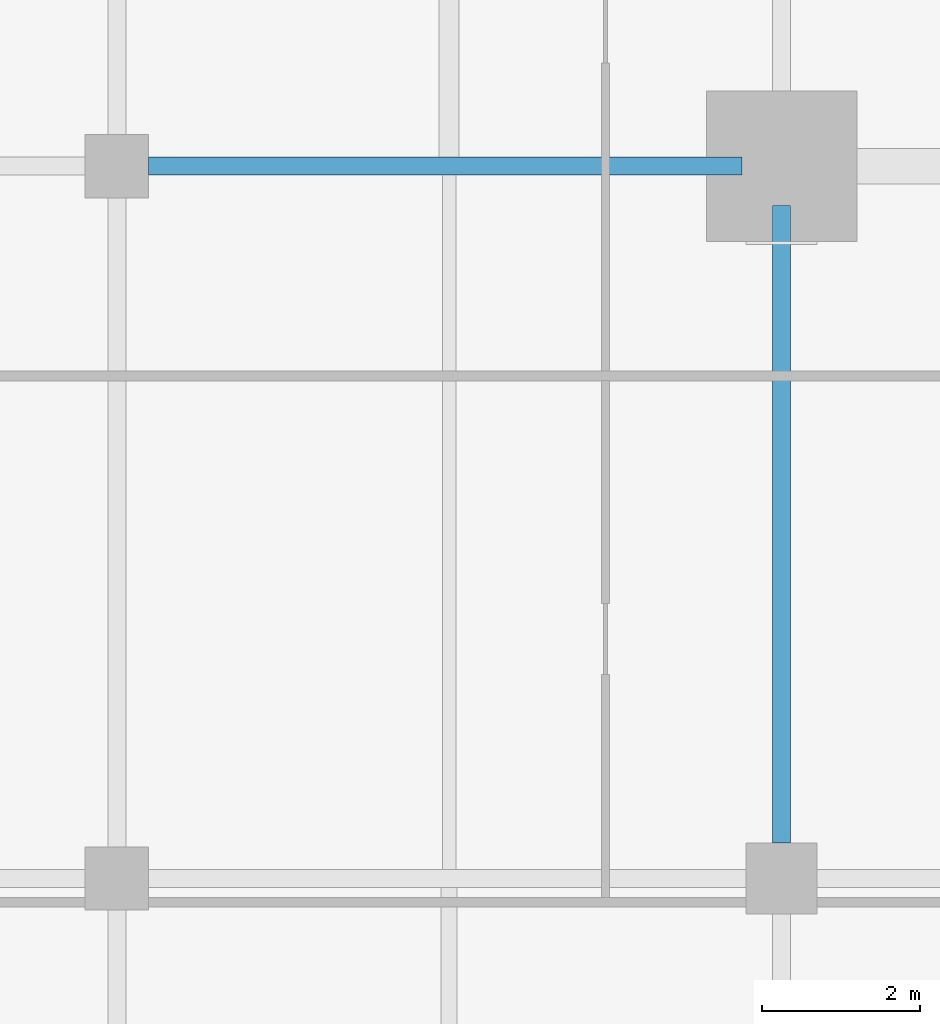
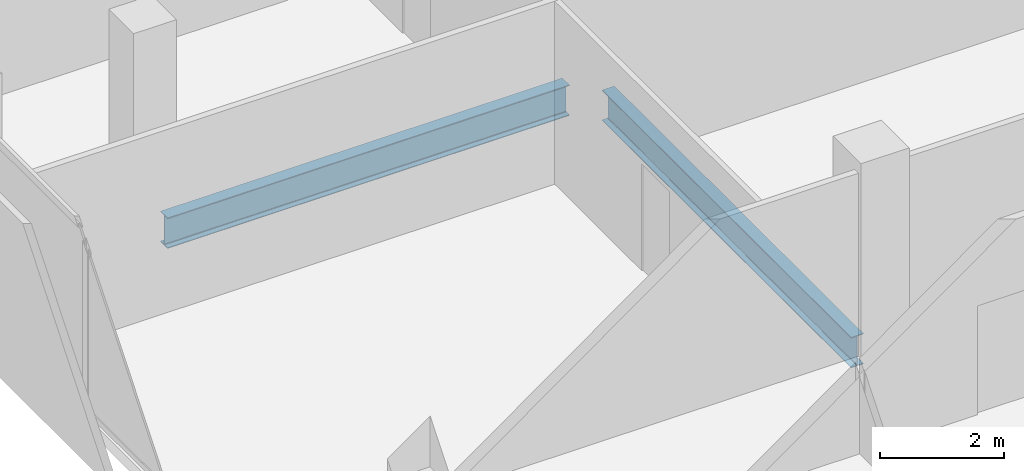
# One storey, part 9 of 32: 2 beams.
"""IFC4 building model written with IfcOpenShell, lengths in metres."""

from ifc_helpers import new_model, si_unit, direction, frame, origin, origin_2d, place, context, subcontext, project, spatial, i_section, extrude, material, material_profile, profile_set, type_object, element, save


model = new_model("IFC4")

# Units and contexts
model_context = context("Model", 3, precision=1e-05, world=origin(), true_north=direction((0.0, 1.0)))
body_context = subcontext(model_context, "Body", "Model", "MODEL_VIEW")
ifc_project = project(units=[si_unit("LENGTHUNIT", "METRE"), si_unit("AREAUNIT", "SQUARE_METRE"), si_unit("VOLUMEUNIT", "CUBIC_METRE"), si_unit("PLANEANGLEUNIT", "RADIAN"), si_unit("MASSUNIT", "GRAM", prefix="KILO")], contexts=[model_context])

# Site, building, storey
site_placement = place(None, origin())
site = spatial("IfcSite", under=ifc_project, at=site_placement, CompositionType="ELEMENT")
building_placement = place(site_placement, origin())
building = spatial("IfcBuilding", under=site, at=building_placement, Name="Maruvema Waterfront Hotel and Observation Tower", CompositionType="ELEMENT")
storey_placement = place(building_placement, frame((0.0, 0.0, 165.89990234375)))
storey = spatial("IfcBuildingStorey", under=building, at=storey_placement, Name="L40", CompositionType="ELEMENT", Elevation=165.89990234375)

# Beams
ifc_material = material(Name="Steel ASTM A572 Grade 50", Category="steel")
ifc_material_profile = material_profile(ifc_material, i_section(OverallWidth=0.22802734375, OverallDepth=0.60302734375, WebThickness=0.010498046875, FlangeThickness=0.014892578125, FilletRadius=0.01806640625, at=origin_2d()), Name="W610x101.0")
ifc_profile_set = profile_set([ifc_material_profile], Name="Steel ASTM A572 Grade 50")
beam_type = type_object("IfcBeamType", Name="Primary Floor Girder W610x101.0", PredefinedType="BEAM", material=ifc_profile_set)
beam_1_placement = place(storey_placement, frame((17.199951171875, 27.0, -0.54150390625), z_axis=(1.0, 0.0, 0.0), x_axis=(0.0, 1.0, 0.0)))
element("IfcBeam", 1, at=beam_1_placement, inside=storey, type_object=beam_type, Name="L40 Floor Girder EW-19", PredefinedType="BEAM", context=body_context, shape_type="SweptSolid", body=[
    extrude(i_section(OverallWidth=0.22802734375, OverallDepth=0.60302734375, WebThickness=0.010498046875, FlangeThickness=0.014892578125, FilletRadius=0.01806640625, at=origin_2d()), origin(), (0.0, 0.0, 1.0), 7.5),
])
beam_2_placement = place(storey_placement, frame((25.199951171875, 18.449951171875, -0.54150390625), z_axis=(0.0, 1.0, 0.0), x_axis=(-1.0, 0.0, 0.0)))
element("IfcBeam", 2, at=beam_2_placement, inside=storey, type_object=beam_type, Name="L40 Floor Girder NS-11", PredefinedType="BEAM", context=body_context, shape_type="SweptSolid", body=[
    extrude(i_section(OverallWidth=0.22802734375, OverallDepth=0.60302734375, WebThickness=0.010498046875, FlangeThickness=0.014892578125, FilletRadius=0.01806640625, at=origin_2d()), origin(), (0.0, 0.0, 1.0), 8.050048828125),
])

save(model, "model.ifc")
